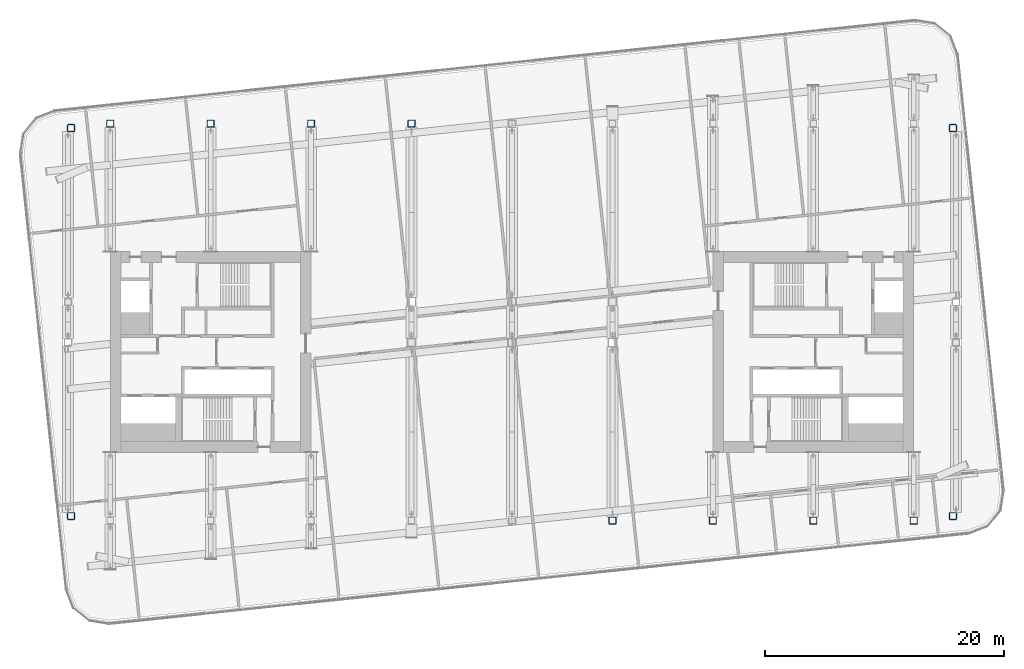
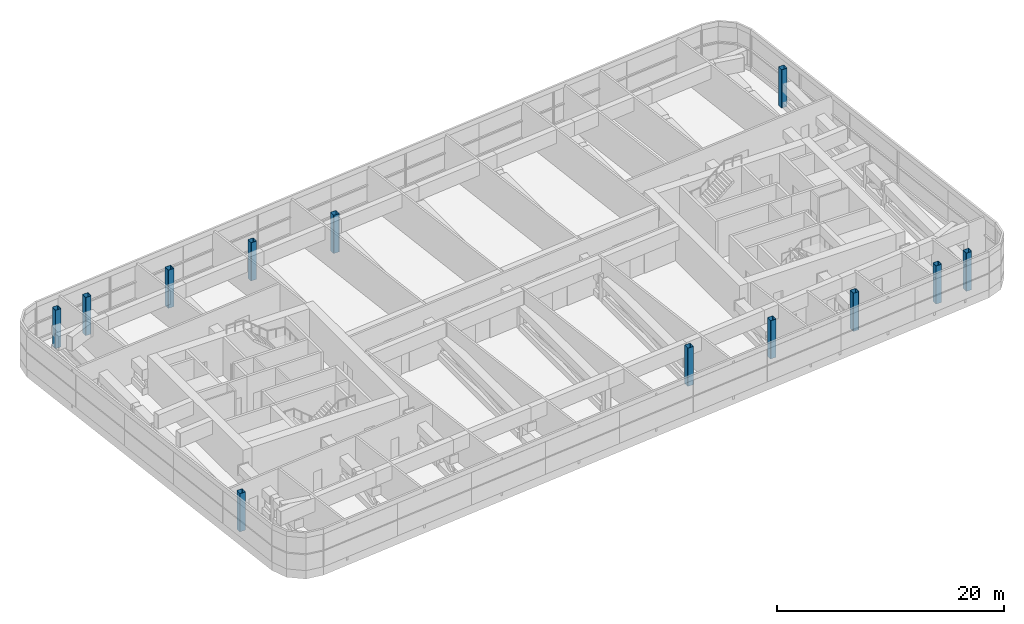
# One storey, part 1 of 33: 12 columns.
"""IFC4 building model written with IfcOpenShell, lengths in metres."""

from ifc_helpers import new_model, si_unit, direction, frame, origin, origin_2d, place, context, subcontext, project, spatial, hollow_rectangle, extrude, material, material_profile, profile_set, type_object, element, save


model = new_model("IFC4")

# Units and contexts
model_context = context("Model", 3, precision=1e-05, world=origin(), true_north=direction((0.0, 1.0)))
body_context = subcontext(model_context, "Body", "Model", "MODEL_VIEW")
ifc_project = project(units=[si_unit("LENGTHUNIT", "METRE"), si_unit("AREAUNIT", "SQUARE_METRE"), si_unit("VOLUMEUNIT", "CUBIC_METRE"), si_unit("PLANEANGLEUNIT", "RADIAN"), si_unit("MASSUNIT", "GRAM", prefix="KILO")], contexts=[model_context])

# Site, building, storey
site_placement = place(None, origin())
site = spatial("IfcSite", under=ifc_project, at=site_placement, CompositionType="ELEMENT")
building_placement = place(site_placement, origin())
building = spatial("IfcBuilding", under=site, at=building_placement, Name="Hakoniwa Tower and Hamabe Station Hall", CompositionType="ELEMENT")
storey_placement = place(building_placement, frame((0.0, 0.0, 228.199951171875)))
storey = spatial("IfcBuildingStorey", under=building, at=storey_placement, Name="L65", CompositionType="ELEMENT", Elevation=228.199951171875)

# Columns
ifc_material = material(Name="Steel BCP325", Category="steel")
ifc_material_profile = material_profile(ifc_material, hollow_rectangle(XDim=0.60009765625, YDim=0.60009765625, WallThickness=0.02490234375, InnerFilletRadius=0.03759765625, OuterFilletRadius=0.0625, at=origin_2d()), Name="BCP-600x600x25")
ifc_profile_set = profile_set([ifc_material_profile], Name="Steel BCP325")
column_type = type_object("IfcColumnType", Name="COLUMN BCP-600x600x25", PredefinedType="COLUMN", material=ifc_profile_set)
for number, where, z_axis, x_axis, name in (
    (1, (-36.877685546875, -13.728515625, 0.0), (0.0, 0.0, 1.0), (1.0, 0.0, 0.0), "Column B4-EW-A4"),
    (2, (-36.877685546875, 18.728515625, 0.0), (0.0, 0.0, 1.0), (1.0, 0.0, 0.0), "Column B4-EW-F4"),
    (3, (-33.60009765625, 19.10009765625, 0.0), (0.0, 0.0, 1.0), (1.0, 0.0, 0.0), "Column B4-3-F4"),
    (4, (-25.199951171875, 19.10009765625, 0.0), (0.0, 0.0, 1.0), (1.0, 0.0, 0.0), "Column B4-4-F4"),
    (5, (-16.800048828125, 19.10009765625, 0.0), (0.0, 0.0, 1.0), (1.0, 0.0, 0.0), "Column B4-5-F4"),
    (6, (-8.39990234375, 19.10009765625, 0.0), (0.0, 0.0, 1.0), (1.0, 0.0, 0.0), "Column B4-6-F4"),
    (7, (8.39990234375, -14.10009765625, 0.0), (0.0, 0.0, 1.0), (1.0, 0.0, 0.0), "Column B4-8-A4"),
    (8, (16.800048828125, -14.10009765625, 0.0), (0.0, 0.0, 1.0), (1.0, 0.0, 0.0), "Column B4-9-A4"),
    (9, (25.199951171875, -14.10009765625, 0.0), (0.0, 0.0, 1.0), (1.0, 0.0, 0.0), "Column B4-10-A4"),
    (10, (33.60009765625, -14.10009765625, 0.0), (0.0, 0.0, 1.0), (1.0, 0.0, 0.0), "Column B4-11-A4"),
    (11, (36.877685546875, -13.728515625, 0.0), (0.0, 0.0, 1.0), (1.0, 0.0, 0.0), "Column B4-EE-A4"),
    (12, (36.877685546875, 18.728515625, 0.0), (0.0, 0.0, 1.0), (1.0, 0.0, 0.0), "Column B4-EE-F4"),
):
    element("IfcColumn", number, at=place(storey_placement, frame(where, z_axis=z_axis, x_axis=x_axis)), inside=storey, type_object=column_type, Name=name, PredefinedType="COLUMN", context=body_context, shape_type="SweptSolid", body=[
        extrude(hollow_rectangle(XDim=0.60009765625, YDim=0.60009765625, WallThickness=0.02490234375, InnerFilletRadius=0.03759765625, OuterFilletRadius=0.0625, at=origin_2d()), origin(), (0.0, 0.0, 1.0), 4.10009765625),
    ])

save(model, "model.ifc")
